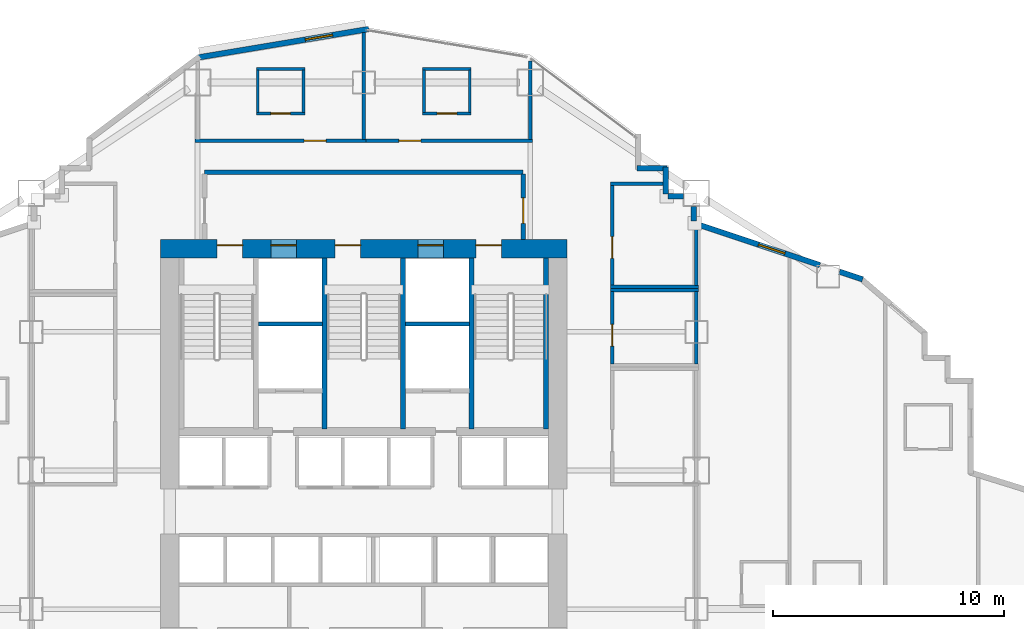
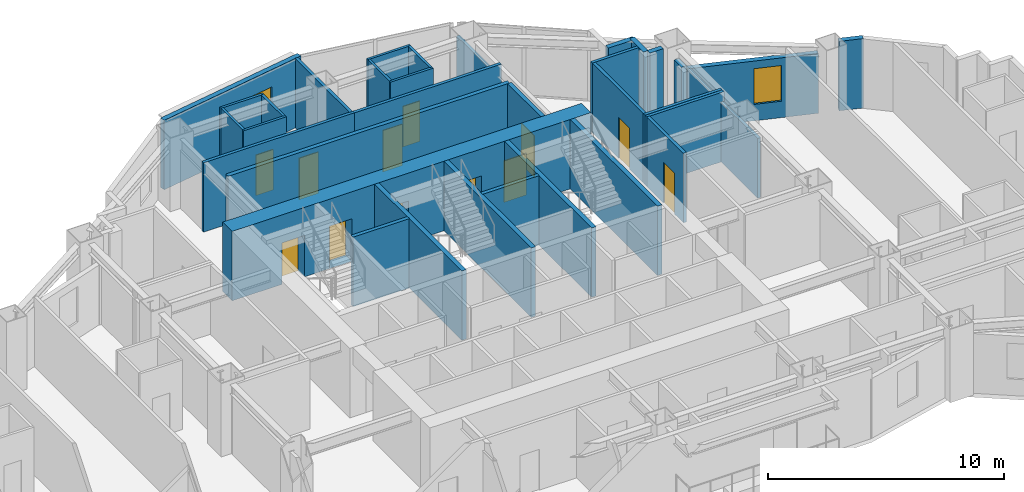
# One storey, part 10 of 16: 35 walls, 12 doors, 2 windows, 14 openings.
"""IFC4 building model written with IfcOpenShell, lengths in metres."""

from ifc_helpers import new_model, si_unit, direction, frame, frame_2d, origin, place, context, subcontext, project, spatial, rectangle, extrude, material, layer, layer_set, type_object, element, fill, save


model = new_model("IFC4")

# Units and contexts
model_context = context("Model", 3, precision=1e-05, world=origin(), true_north=direction((0.0, 1.0)))
body_context = subcontext(model_context, "Body", "Model", "MODEL_VIEW")
ifc_project = project(units=[si_unit("LENGTHUNIT", "METRE"), si_unit("AREAUNIT", "SQUARE_METRE"), si_unit("VOLUMEUNIT", "CUBIC_METRE"), si_unit("PLANEANGLEUNIT", "RADIAN"), si_unit("MASSUNIT", "GRAM", prefix="KILO")], contexts=[model_context])

# Site, building, storey
site_placement = place(None, origin())
site = spatial("IfcSite", under=ifc_project, at=site_placement, CompositionType="ELEMENT")
building_placement = place(site_placement, origin())
building = spatial("IfcBuilding", under=site, at=building_placement, Name="Haolan Belvedere Tower", CompositionType="ELEMENT")
storey_placement = place(building_placement, frame((0.0, 0.0, 47.60009765625)))
storey = spatial("IfcBuildingStorey", under=building, at=storey_placement, Name="L11", CompositionType="ELEMENT", Elevation=47.60009765625)

# Wall, openings, doors
ifc_material_1 = material(Name="Concrete C70/85", Category="concrete")
ifc_layer_1 = layer(ifc_material_1, 0.800048828125, Name="Concrete C70/85")
ifc_layer_set_1 = layer_set([ifc_layer_1], Name="Concrete C70/85")
wall_type_1 = type_object("IfcWallType", Name="WL-CORE-800", PredefinedType="SHEAR", material=ifc_layer_set_1)
wall_1_placement = place(storey_placement, frame((29.60009765625, 43.199951171875, 0.0), z_axis=(0.0, 0.0, 1.0), x_axis=(1.0, 0.0, 0.0)))
wall_1 = element("IfcWall", 1, at=wall_1_placement, inside=storey, type_object=wall_type_1, Name="L11 central core north shear wall", PredefinedType="SHEAR", context=body_context, shape_type="SweptSolid", body=[
    extrude(rectangle(XDim=17.599853515625, YDim=0.800048828125, at=frame_2d((8.7998046875, 0.0))), origin(), (0.0, 0.0, 1.0), 3.599853515625),
])
opening_1_placement = place(wall_1_placement, frame((2.449951171875, 0.0, 0.0)))
opening_1 = element("IfcOpeningElement", 2, at=opening_1_placement, cuts=wall_1, Name="Opening FD-03", PredefinedType="OPENING", context=body_context, shape_type="SweptSolid", body=[
    extrude(rectangle(XDim=1.10009765625, YDim=2.14990234375, at=frame_2d((0.550048828125, 1.074951171875))), frame((0.0, 0.409912109375, 0.0), z_axis=(0.0, -1.0, 0.0), x_axis=(1.0, 0.0, 0.0)), (0.0, 0.0, 1.0), 0.820068359375),
])
opening_2_placement = place(wall_1_placement, frame((7.56005859375, 0.0, 0.0)))
opening_2 = element("IfcOpeningElement", 3, at=opening_2_placement, cuts=wall_1, Name="Opening FD-03", PredefinedType="OPENING", context=body_context, shape_type="SweptSolid", body=[
    extrude(rectangle(XDim=1.10009765625, YDim=2.14990234375, at=frame_2d((0.550048828125, 1.074951171875))), frame((0.0, 0.409912109375, 0.0), z_axis=(0.0, -1.0, 0.0), x_axis=(1.0, 0.0, 0.0)), (0.0, 0.0, 1.0), 0.820068359375),
])
opening_3_placement = place(wall_1_placement, frame((13.64990234375, 0.0, 0.0)))
opening_3 = element("IfcOpeningElement", 4, at=opening_3_placement, cuts=wall_1, Name="Opening FD-03", PredefinedType="OPENING", context=body_context, shape_type="SweptSolid", body=[
    extrude(rectangle(XDim=1.10009765625, YDim=2.14990234375, at=frame_2d((0.550048828125, 1.074951171875))), frame((0.0, 0.409912109375, 0.0), z_axis=(0.0, -1.0, 0.0), x_axis=(1.0, 0.0, 0.0)), (0.0, 0.0, 1.0), 0.820068359375),
])
opening_4_placement = place(wall_1_placement, frame((4.780029296875, 0.0, 0.0)))
opening_4 = element("IfcOpeningElement", 5, at=opening_4_placement, cuts=wall_1, Name="Opening LD-01", PredefinedType="OPENING", context=body_context, shape_type="SweptSolid", body=[
    extrude(rectangle(XDim=1.10009765625, YDim=2.199951171875, at=frame_2d((0.550048828125, 1.10009765625))), frame((0.0, 0.409912109375, 0.0), z_axis=(0.0, -1.0, 0.0), x_axis=(1.0, 0.0, 0.0)), (0.0, 0.0, 1.0), 0.820068359375),
])
opening_5_placement = place(wall_1_placement, frame((11.139892578125, 0.0, 0.0)))
opening_5 = element("IfcOpeningElement", 6, at=opening_5_placement, cuts=wall_1, Name="Opening LD-01", PredefinedType="OPENING", context=body_context, shape_type="SweptSolid", body=[
    extrude(rectangle(XDim=1.10009765625, YDim=2.199951171875, at=frame_2d((0.550048828125, 1.10009765625))), frame((0.0, 0.409912109375, 0.0), z_axis=(0.0, -1.0, 0.0), x_axis=(1.0, 0.0, 0.0)), (0.0, 0.0, 1.0), 0.820068359375),
])
ifc_material_2 = material(Name="Galvanised fire-rated steel", Category="steel")
door_type_1 = type_object("IfcDoorType", Name="DR-FD90-1100", OperationType="NOTDEFINED", PredefinedType="DOOR", material=ifc_material_2)
door_1_placement = place(opening_1_placement, origin())
door_1 = element("IfcDoor", 7, at=door_1_placement, inside=storey, type_object=door_type_1, Name="L11 door CD-L11-ST1", OperationType="SINGLE_SWING_LEFT", OverallHeight=2.14990234375, OverallWidth=1.10009765625, PredefinedType="DOOR", context=body_context, shape_type="SweptSolid", body=[
    extrude(rectangle(XDim=1.10009765625, YDim=2.14990234375, at=frame_2d((0.550048828125, 1.074951171875))), frame((0.0, 0.18505859375, 0.0), z_axis=(0.0, -1.0, 0.0), x_axis=(1.0, 0.0, 0.0)), (0.0, 0.0, 1.0), 0.050048828125),
])
fill(opening_1, door_1)
door_2_placement = place(opening_2_placement, origin())
door_2 = element("IfcDoor", 8, at=door_2_placement, inside=storey, type_object=door_type_1, Name="L11 door CD-L11-ST3", OperationType="SINGLE_SWING_LEFT", OverallHeight=2.14990234375, OverallWidth=1.10009765625, PredefinedType="DOOR", context=body_context, shape_type="SweptSolid", body=[
    extrude(rectangle(XDim=1.10009765625, YDim=2.14990234375, at=frame_2d((0.550048828125, 1.074951171875))), frame((0.0, 0.18505859375, 0.0), z_axis=(0.0, -1.0, 0.0), x_axis=(1.0, 0.0, 0.0)), (0.0, 0.0, 1.0), 0.050048828125),
])
fill(opening_2, door_2)
door_3_placement = place(opening_3_placement, origin())
door_3 = element("IfcDoor", 9, at=door_3_placement, inside=storey, type_object=door_type_1, Name="L11 door CD-L11-ST2", OperationType="SINGLE_SWING_RIGHT", OverallHeight=2.14990234375, OverallWidth=1.10009765625, PredefinedType="DOOR", context=body_context, shape_type="SweptSolid", body=[
    extrude(rectangle(XDim=1.10009765625, YDim=2.14990234375, at=frame_2d((0.550048828125, 1.074951171875))), frame((0.0, 0.18505859375, 0.0), z_axis=(0.0, -1.0, 0.0), x_axis=(1.0, 0.0, 0.0)), (0.0, 0.0, 1.0), 0.050048828125),
])
fill(opening_3, door_3)
ifc_material_3 = material(Name="Brushed champagne stainless steel 316L", Category="steel")
door_type_2 = type_object("IfcDoorType", Name="DR-LIFT-1100", OperationType="SLIDING_TO_LEFT", PredefinedType="DOOR", material=ifc_material_3)
door_4_placement = place(opening_4_placement, origin())
door_4 = element("IfcDoor", 10, at=door_4_placement, inside=storey, type_object=door_type_2, Name="L11 door LD-L11-FF1", OperationType="SLIDING_TO_LEFT", OverallHeight=2.199951171875, OverallWidth=1.10009765625, PredefinedType="DOOR", context=body_context, shape_type="SweptSolid", body=[
    extrude(rectangle(XDim=1.10009765625, YDim=2.199951171875, at=frame_2d((0.550048828125, 1.10009765625))), frame((0.0, 0.18505859375, 0.0), z_axis=(0.0, -1.0, 0.0), x_axis=(1.0, 0.0, 0.0)), (0.0, 0.0, 1.0), 0.050048828125),
])
fill(opening_4, door_4)
door_5_placement = place(opening_5_placement, origin())
door_5 = element("IfcDoor", 11, at=door_5_placement, inside=storey, type_object=door_type_2, Name="L11 door LD-L11-FF2", OperationType="SLIDING_TO_LEFT", OverallHeight=2.199951171875, OverallWidth=1.10009765625, PredefinedType="DOOR", context=body_context, shape_type="SweptSolid", body=[
    extrude(rectangle(XDim=1.10009765625, YDim=2.199951171875, at=frame_2d((0.550048828125, 1.10009765625))), frame((0.0, 0.18505859375, 0.0), z_axis=(0.0, -1.0, 0.0), x_axis=(1.0, 0.0, 0.0)), (0.0, 0.0, 1.0), 0.050048828125),
])
fill(opening_5, door_5)

# Wall
ifc_material_4 = material(Name="Precast concrete C40/50", Category="concrete")
ifc_layer_2 = layer(ifc_material_4, 0.239990234375, Name="Precast concrete C40/50")
ifc_layer_set_2 = layer_set([ifc_layer_2], Name="Precast concrete C40/50")
wall_type_2 = type_object("IfcWallType", Name="WL-EXT-240", PredefinedType="SOLIDWALL", material=ifc_layer_set_2)
wall_2_placement = place(storey_placement, frame((59.991943359375, 41.876220703125, 0.0), z_axis=(0.0, 0.0, 1.0), x_axis=(-0.948706457285, 0.316158279832, 0.0)))
element("IfcWall", 12, at=wall_2_placement, inside=storey, type_object=wall_type_2, Name="L11 pale-metal exterior spandrel wall 35.1", PredefinedType="SOLIDWALL", context=body_context, shape_type="SweptSolid", body=[
    extrude(rectangle(XDim=1.053955078125, YDim=0.239990234375, at=frame_2d((0.52685546875, 0.0))), origin(), (0.0, 0.0, 1.0), 3.599853515625),
])

# Wall, opening, window
wall_3_placement = place(storey_placement, frame((58.14453125, 42.491943359375, 0.0), z_axis=(0.0, 0.0, 1.0), x_axis=(-0.948683298051, 0.316227766017, 0.0)))
wall_3 = element("IfcWall", 13, at=wall_3_placement, inside=storey, type_object=wall_type_2, Name="L11 pale-metal exterior spandrel wall 35.2", PredefinedType="SOLIDWALL", context=body_context, shape_type="SweptSolid", body=[
    extrude(rectangle(XDim=5.67529296875, YDim=0.239990234375, at=frame_2d((2.837646484375, 0.0))), origin(), (0.0, 0.0, 1.0), 3.096923828125),
])
opening_6_placement = place(wall_3_placement, frame((1.60009765625, 0.0, 0.85009765625)))
opening_6 = element("IfcOpeningElement", 14, at=opening_6_placement, cuts=wall_3, Name="Opening W-01", PredefinedType="OPENING", context=body_context, shape_type="SweptSolid", body=[
    extrude(rectangle(XDim=1.199951171875, YDim=1.85009765625, at=frame_2d((0.60009765625, 0.925048828125))), frame((0.0, 0.1298828125, 0.0), z_axis=(0.0, -1.0, 0.0), x_axis=(1.0, 0.0, 0.0)), (0.0, 0.0, 1.0), 0.260009765625),
])
ifc_material_5 = material(Name="Anodised aluminium 6063-T6 and Low-E glass", Category="aluminium")
window_type = type_object("IfcWindowType", Name="WN-DECO-Z1", PartitioningType="SINGLE_PANEL", PredefinedType="WINDOW", material=ifc_material_5)
window_1_placement = place(opening_6_placement, origin())
window_1 = element("IfcWindow", 15, at=window_1_placement, inside=storey, type_object=window_type, Name="L11 Art Deco chevron window 1", OverallHeight=1.85009765625, OverallWidth=1.199951171875, PartitioningType="SINGLE_PANEL", PredefinedType="WINDOW", context=body_context, shape_type="SweptSolid", body=[
    extrude(rectangle(XDim=1.199951171875, YDim=1.85009765625, at=frame_2d((0.60009765625, 0.925048828125))), frame((0.0, 0.030029296875, 0.0), z_axis=(0.0, -1.0, 0.0), x_axis=(1.0, 0.0, 0.0)), (0.0, 0.0, 1.0), 0.06005859375),
])
fill(opening_6, window_1)

# Walls
wall_4_placement = place(storey_placement, frame((52.679931640625, 44.3984375, 0.0), z_axis=(0.0, 0.0, 1.0), x_axis=(0.0, 1.0, 0.0)))
element("IfcWall", 16, at=wall_4_placement, inside=storey, type_object=wall_type_2, Name="L11 pale-metal exterior spandrel wall 36.1", PredefinedType="SOLIDWALL", context=body_context, shape_type="SweptSolid", body=[
    extrude(rectangle(XDim=0.634521484375, YDim=0.239990234375, at=frame_2d((0.3173828125, 0.0))), origin(), (0.0, 0.0, 1.0), 3.096923828125),
])
wall_5_placement = place(storey_placement, frame((52.23291015625, 45.47998046875, 0.0), z_axis=(0.0, 0.0, 1.0), x_axis=(-1.0, 0.0, 0.0)))
element("IfcWall", 17, at=wall_5_placement, inside=storey, type_object=wall_type_2, Name="L11 pale-metal exterior spandrel wall 37.1", PredefinedType="SOLIDWALL", context=body_context, shape_type="SweptSolid", body=[
    extrude(rectangle(XDim=0.66796875, YDim=0.239990234375, at=frame_2d((0.333984375, 0.0))), origin(), (0.0, 0.0, 1.0), 3.599853515625),
])
wall_6_placement = place(storey_placement, frame((51.47998046875, 45.56494140625, 0.0), z_axis=(0.0, 0.0, 1.0), x_axis=(0.0, 1.0, 0.0)))
element("IfcWall", 18, at=wall_6_placement, inside=storey, type_object=wall_type_2, Name="L11 pale-metal exterior spandrel wall 38.1", PredefinedType="SOLIDWALL", context=body_context, shape_type="SweptSolid", body=[
    extrude(rectangle(XDim=1.170166015625, YDim=0.239990234375, at=frame_2d((0.5849609375, 0.0))), origin(), (0.0, 0.0, 1.0), 3.599853515625),
])
wall_7_placement = place(storey_placement, frame((51.534912109375, 46.679931640625, 0.0), z_axis=(0.0, 0.0, 1.0), x_axis=(-1.0, 0.0, 0.0)))
element("IfcWall", 19, at=wall_7_placement, inside=storey, type_object=wall_type_2, Name="L11 pale-metal exterior spandrel wall 39.1", PredefinedType="SOLIDWALL", context=body_context, shape_type="SweptSolid", body=[
    extrude(rectangle(XDim=1.309814453125, YDim=0.239990234375, at=frame_2d((0.65478515625, 0.0))), origin(), (0.0, 0.0, 1.0), 3.599853515625),
])

# Wall, opening, window
wall_8_placement = place(storey_placement, frame((38.621826171875, 52.71533203125, 0.0), z_axis=(0.0, 0.0, 1.0), x_axis=(-0.98639129485, -0.164414760418, 0.0)))
wall_8 = element("IfcWall", 20, at=wall_8_placement, inside=storey, type_object=wall_type_2, Name="L11 pale-metal exterior spandrel wall 43.1", PredefinedType="SOLIDWALL", context=body_context, shape_type="SweptSolid", body=[
    extrude(rectangle(XDim=7.530029296875, YDim=0.239990234375, at=frame_2d((3.76513671875, 0.0))), origin(), (0.0, 0.0, 1.0), 3.599853515625),
])
opening_7_placement = place(wall_8_placement, frame((1.60009765625, 0.0, 0.85009765625)))
opening_7 = element("IfcOpeningElement", 21, at=opening_7_placement, cuts=wall_8, Name="Opening W-01", PredefinedType="OPENING", context=body_context, shape_type="SweptSolid", body=[
    extrude(rectangle(XDim=1.199951171875, YDim=1.85009765625, at=frame_2d((0.60009765625, 0.925048828125))), frame((0.0, 0.1298828125, 0.0), z_axis=(0.0, -1.0, 0.0), x_axis=(1.0, 0.0, 0.0)), (0.0, 0.0, 1.0), 0.260009765625),
])
window_2_placement = place(opening_7_placement, origin())
window_2 = element("IfcWindow", 22, at=window_2_placement, inside=storey, type_object=window_type, Name="L11 Art Deco chevron window 1", OverallHeight=1.85009765625, OverallWidth=1.199951171875, PartitioningType="SINGLE_PANEL", PredefinedType="WINDOW", context=body_context, shape_type="SweptSolid", body=[
    extrude(rectangle(XDim=1.199951171875, YDim=1.85009765625, at=frame_2d((0.60009765625, 0.925048828125))), frame((0.0, 0.030029296875, 0.0), z_axis=(0.0, -1.0, 0.0), x_axis=(1.0, 0.0, 0.0)), (0.0, 0.0, 1.0), 0.06005859375),
])
fill(opening_7, window_2)

# Wall
ifc_material_6 = material(Name="Concrete C40/50", Category="concrete")
ifc_layer_3 = layer(ifc_material_6, 0.199951171875, Name="Concrete C40/50")
ifc_layer_set_3 = layer_set([ifc_layer_3], Name="Concrete C40/50")
wall_type_3 = type_object("IfcWallType", Name="WL-FIRE-200", PredefinedType="SOLIDWALL", material=ifc_layer_set_3)
wall_9_placement = place(storey_placement, frame((31.5, 46.52001953125, 0.0), z_axis=(0.0, 0.0, 1.0), x_axis=(1.0, 0.0, 0.0)))
element("IfcWall", 23, at=wall_9_placement, inside=storey, type_object=wall_type_3, Name="L11 interior partition IW-L11-FFL-N", PredefinedType="SOLIDWALL", context=body_context, shape_type="SweptSolid", body=[
    extrude(rectangle(XDim=13.800048828125, YDim=0.199951171875, at=frame_2d((6.89990234375, 0.0))), origin(), (0.0, 0.0, 1.0), 3.599853515625),
])

# Wall, opening, door
wall_10_placement = place(storey_placement, frame((45.300048828125, 43.60009765625, 0.0), z_axis=(0.0, 0.0, 1.0), x_axis=(0.0, 1.0, 0.0)))
wall_10 = element("IfcWall", 24, at=wall_10_placement, inside=storey, type_object=wall_type_3, Name="L11 interior partition IW-L11-FFL-E", PredefinedType="SOLIDWALL", context=body_context, shape_type="SweptSolid", body=[
    extrude(rectangle(XDim=2.8349609375, YDim=0.199951171875, at=frame_2d((1.41748046875, 0.0))), origin(), (0.0, 0.0, 1.0), 3.599853515625),
])
opening_8_placement = place(wall_10_placement, frame((0.699951171875, 0.0, 0.0)))
opening_8 = element("IfcOpeningElement", 25, at=opening_8_placement, cuts=wall_10, Name="Opening FD-03", PredefinedType="OPENING", context=body_context, shape_type="SweptSolid", body=[
    extrude(rectangle(XDim=1.10009765625, YDim=2.14990234375, at=frame_2d((0.550048828125, 1.074951171875))), frame((0.0, 0.10986328125, 0.0), z_axis=(0.0, -1.0, 0.0), x_axis=(1.0, 0.0, 0.0)), (0.0, 0.0, 1.0), 0.219970703125),
])
door_6_placement = place(opening_8_placement, origin())
door_6 = element("IfcDoor", 26, at=door_6_placement, inside=storey, type_object=door_type_1, Name="L11 door ID-L11-FFL-DE", OperationType="SINGLE_SWING_RIGHT", OverallHeight=2.14990234375, OverallWidth=1.10009765625, PredefinedType="DOOR", context=body_context, shape_type="SweptSolid", body=[
    extrude(rectangle(XDim=1.10009765625, YDim=2.14990234375, at=frame_2d((0.550048828125, 1.074951171875))), frame((0.0, 0.02490234375, 0.0), z_axis=(0.0, -1.0, 0.0), x_axis=(1.0, 0.0, 0.0)), (0.0, 0.0, 1.0), 0.050048828125),
])
fill(opening_8, door_6)

# Wall
ifc_material_7 = material(Name="Double gypsum acoustic stud partition", Category="masonry")
ifc_layer_4 = layer(ifc_material_7, 0.14990234375, Name="Double gypsum acoustic stud partition")
ifc_layer_set_4 = layer_set([ifc_layer_4], Name="Double gypsum acoustic stud partition")
wall_type_4 = type_object("IfcWallType", Name="WL-PART-150", PredefinedType="PARTITIONING", material=ifc_layer_set_4)
wall_11_placement = place(storey_placement, frame((49.080078125, 41.39990234375, 0.0), z_axis=(0.0, 0.0, 1.0), x_axis=(1.0, 0.0, 0.0)))
element("IfcWall", 27, at=wall_11_placement, inside=storey, type_object=wall_type_4, Name="L11 interior partition IW-L11-AWC-N", PredefinedType="PARTITIONING", context=body_context, shape_type="SweptSolid", body=[
    extrude(rectangle(XDim=3.7998046875, YDim=0.14990234375, at=frame_2d((1.89990234375, 0.0))), origin(), (0.0, 0.0, 1.0), 3.599853515625),
])

# Wall, opening, door
wall_12_placement = place(storey_placement, frame((49.159912109375, 38.219970703125, 0.0), z_axis=(0.0, 0.0, 1.0), x_axis=(0.0, 1.0, 0.0)))
wall_12 = element("IfcWall", 28, at=wall_12_placement, inside=storey, type_object=wall_type_4, Name="L11 interior partition IW-L11-AWC-W", PredefinedType="PARTITIONING", context=body_context, shape_type="SweptSolid", body=[
    extrude(rectangle(XDim=3.1201171875, YDim=0.14990234375, at=frame_2d((1.56005859375, 0.0))), origin(), (0.0, 0.0, 1.0), 3.599853515625),
])
opening_9_placement = place(wall_12_placement, frame((0.760009765625, 0.0, 0.0)))
opening_9 = element("IfcOpeningElement", 29, at=opening_9_placement, cuts=wall_12, Name="Opening ID-03", PredefinedType="OPENING", context=body_context, shape_type="SweptSolid", body=[
    extrude(rectangle(XDim=0.949951171875, YDim=2.1201171875, at=frame_2d((0.47509765625, 1.06005859375))), frame((0.0, 0.0849609375, 0.0), z_axis=(0.0, -1.0, 0.0), x_axis=(1.0, 0.0, 0.0)), (0.0, 0.0, 1.0), 0.169921875),
])
ifc_material_8 = material(Name="Painted solid-core timber", Category="wood")
door_type_3 = type_object("IfcDoorType", Name="DR-INT-950", OperationType="NOTDEFINED", PredefinedType="DOOR", material=ifc_material_8)
door_7_placement = place(opening_9_placement, origin())
door_7 = element("IfcDoor", 30, at=door_7_placement, inside=storey, type_object=door_type_3, Name="L11 door ID-L11-AWC", OperationType="SINGLE_SWING_LEFT", OverallHeight=2.1201171875, OverallWidth=0.949951171875, PredefinedType="DOOR", context=body_context, shape_type="SweptSolid", body=[
    extrude(rectangle(XDim=0.949951171875, YDim=2.1201171875, at=frame_2d((0.47509765625, 1.06005859375))), frame((0.0, 0.02490234375, 0.0), z_axis=(0.0, -1.0, 0.0), x_axis=(1.0, 0.0, 0.0)), (0.0, 0.0, 1.0), 0.050048828125),
])
fill(opening_9, door_7)

# Walls
wall_13_placement = place(storey_placement, frame((52.800048828125, 38.219970703125, 0.0), z_axis=(0.0, 0.0, 1.0), x_axis=(0.0, 1.0, 0.0)))
element("IfcWall", 31, at=wall_13_placement, inside=storey, type_object=wall_type_4, Name="L11 interior partition IW-L11-AWC-E", PredefinedType="PARTITIONING", context=body_context, shape_type="SweptSolid", body=[
    extrude(rectangle(XDim=3.1201171875, YDim=0.14990234375, at=frame_2d((1.56005859375, 0.0))), origin(), (0.0, 0.0, 1.0), 3.096923828125),
])
wall_14_placement = place(storey_placement, frame((49.080078125, 46.02001953125, 0.0), z_axis=(0.0, 0.0, 1.0), x_axis=(1.0, 0.0, 0.0)))
element("IfcWall", 32, at=wall_14_placement, inside=storey, type_object=wall_type_4, Name="L11 interior partition IW-L11-CLN-N", PredefinedType="PARTITIONING", context=body_context, shape_type="SweptSolid", body=[
    extrude(rectangle(XDim=2.294921875, YDim=0.14990234375, at=frame_2d((1.1474609375, 0.0))), origin(), (0.0, 0.0, 1.0), 3.599853515625),
])
wall_15_placement = place(storey_placement, frame((49.080078125, 41.56005859375, 0.0), z_axis=(0.0, 0.0, 1.0), x_axis=(1.0, 0.0, 0.0)))
element("IfcWall", 33, at=wall_15_placement, inside=storey, type_object=wall_type_4, Name="L11 interior partition IW-L11-CLN-S", PredefinedType="PARTITIONING", context=body_context, shape_type="SweptSolid", body=[
    extrude(rectangle(XDim=3.7998046875, YDim=0.14990234375, at=frame_2d((1.89990234375, 0.0))), origin(), (0.0, 0.0, 1.0), 3.599853515625),
])

# Wall, opening, door
wall_16_placement = place(storey_placement, frame((49.159912109375, 41.6201171875, 0.0), z_axis=(0.0, 0.0, 1.0), x_axis=(0.0, 1.0, 0.0)))
wall_16 = element("IfcWall", 34, at=wall_16_placement, inside=storey, type_object=wall_type_4, Name="L11 interior partition IW-L11-CLN-W", PredefinedType="PARTITIONING", context=body_context, shape_type="SweptSolid", body=[
    extrude(rectangle(XDim=4.33984375, YDim=0.14990234375, at=frame_2d((2.169921875, 0.0))), origin(), (0.0, 0.0, 1.0), 3.599853515625),
])
opening_10_placement = place(wall_16_placement, frame((1.159912109375, 0.0, 0.0)))
opening_10 = element("IfcOpeningElement", 35, at=opening_10_placement, cuts=wall_16, Name="Opening ID-03", PredefinedType="OPENING", context=body_context, shape_type="SweptSolid", body=[
    extrude(rectangle(XDim=0.949951171875, YDim=2.1201171875, at=frame_2d((0.47509765625, 1.06005859375))), frame((0.0, 0.0849609375, 0.0), z_axis=(0.0, -1.0, 0.0), x_axis=(1.0, 0.0, 0.0)), (0.0, 0.0, 1.0), 0.169921875),
])
door_8_placement = place(opening_10_placement, origin())
door_8 = element("IfcDoor", 36, at=door_8_placement, inside=storey, type_object=door_type_3, Name="L11 door ID-L11-CLN", OperationType="SINGLE_SWING_RIGHT", OverallHeight=2.1201171875, OverallWidth=0.949951171875, PredefinedType="DOOR", context=body_context, shape_type="SweptSolid", body=[
    extrude(rectangle(XDim=0.949951171875, YDim=2.1201171875, at=frame_2d((0.47509765625, 1.06005859375))), frame((0.0, 0.02490234375, 0.0), z_axis=(0.0, -1.0, 0.0), x_axis=(1.0, 0.0, 0.0)), (0.0, 0.0, 1.0), 0.050048828125),
])
fill(opening_10, door_8)

# Wall
wall_17_placement = place(storey_placement, frame((52.800048828125, 41.6201171875, 0.0), z_axis=(0.0, 0.0, 1.0), x_axis=(0.0, 1.0, 0.0)))
element("IfcWall", 37, at=wall_17_placement, inside=storey, type_object=wall_type_4, Name="L11 interior partition IW-L11-CLN-E", PredefinedType="PARTITIONING", context=body_context, shape_type="SweptSolid", body=[
    extrude(rectangle(XDim=2.542724609375, YDim=0.14990234375, at=frame_2d((1.271484375, 0.0))), origin(), (0.0, 0.0, 1.0), 3.096923828125),
])

# Wall, opening, door
wall_18_placement = place(storey_placement, frame((31.10009765625, 47.8798828125, 0.0), z_axis=(0.0, 0.0, 1.0), x_axis=(1.0, 0.0, 0.0)))
wall_18 = element("IfcWall", 38, at=wall_18_placement, inside=storey, type_object=wall_type_4, Name="L11 interior partition IW-L11-KN2-S", PredefinedType="PARTITIONING", context=body_context, shape_type="SweptSolid", body=[
    extrude(rectangle(XDim=7.39990234375, YDim=0.14990234375, at=frame_2d((3.699951171875, 0.0))), origin(), (0.0, 0.0, 1.0), 3.599853515625),
])
opening_11_placement = place(wall_18_placement, frame((4.713623046875, 0.0, 0.0)))
opening_11 = element("IfcOpeningElement", 39, at=opening_11_placement, cuts=wall_18, Name="Opening ID-02", PredefinedType="OPENING", context=body_context, shape_type="SweptSolid", body=[
    extrude(rectangle(XDim=0.949951171875, YDim=2.14990234375, at=frame_2d((0.47509765625, 1.074951171875))), frame((0.0, 0.0849609375, 0.0), z_axis=(0.0, -1.0, 0.0), x_axis=(1.0, 0.0, 0.0)), (0.0, 0.0, 1.0), 0.169921875),
])
ifc_material_9 = material(Name="Acoustic oak veneer fire-rated timber", Category="wood")
door_type_4 = type_object("IfcDoorType", Name="DR-GUEST-950", OperationType="NOTDEFINED", PredefinedType="DOOR", material=ifc_material_9)
door_9_placement = place(opening_11_placement, origin())
door_9 = element("IfcDoor", 40, at=door_9_placement, inside=storey, type_object=door_type_4, Name="L11 door ID-L11-KN2-ENT", OperationType="SINGLE_SWING_LEFT", OverallHeight=2.14990234375, OverallWidth=0.949951171875, PredefinedType="DOOR", context=body_context, shape_type="SweptSolid", body=[
    extrude(rectangle(XDim=0.949951171875, YDim=2.14990234375, at=frame_2d((0.47509765625, 1.074951171875))), frame((0.0, 0.02490234375, 0.0), z_axis=(0.0, -1.0, 0.0), x_axis=(1.0, 0.0, 0.0)), (0.0, 0.0, 1.0), 0.050048828125),
])
fill(opening_11, door_9)

# Wall
wall_19_placement = place(storey_placement, frame((38.39990234375, 47.93994140625, 0.0), z_axis=(0.0, 0.0, 1.0), x_axis=(0.0, 1.0, 0.0)))
element("IfcWall", 41, at=wall_19_placement, inside=storey, type_object=wall_type_4, Name="L11 interior partition IW-L11-KN2-E", PredefinedType="PARTITIONING", context=body_context, shape_type="SweptSolid", body=[
    extrude(rectangle(XDim=4.632080078125, YDim=0.14990234375, at=frame_2d((2.31591796875, 0.0))), origin(), (0.0, 0.0, 1.0), 3.599853515625),
])

# Wall, opening, door
wall_20_placement = place(storey_placement, frame((38.501953125, 47.8798828125, 0.0), z_axis=(0.0, 0.0, 1.0), x_axis=(1.0, 0.0, 0.0)))
wall_20 = element("IfcWall", 42, at=wall_20_placement, inside=storey, type_object=wall_type_4, Name="L11 interior partition IW-L11-KN3-S", PredefinedType="PARTITIONING", context=body_context, shape_type="SweptSolid", body=[
    extrude(rectangle(XDim=7.197998046875, YDim=0.14990234375, at=frame_2d((3.59912109375, 0.0))), origin(), (0.0, 0.0, 1.0), 3.599853515625),
])
opening_12_placement = place(wall_20_placement, frame((1.41748046875, 0.0, 0.0)))
opening_12 = element("IfcOpeningElement", 43, at=opening_12_placement, cuts=wall_20, Name="Opening ID-02", PredefinedType="OPENING", context=body_context, shape_type="SweptSolid", body=[
    extrude(rectangle(XDim=0.949951171875, YDim=2.14990234375, at=frame_2d((0.47509765625, 1.074951171875))), frame((0.0, 0.0849609375, 0.0), z_axis=(0.0, -1.0, 0.0), x_axis=(1.0, 0.0, 0.0)), (0.0, 0.0, 1.0), 0.169921875),
])
door_10_placement = place(opening_12_placement, origin())
door_10 = element("IfcDoor", 44, at=door_10_placement, inside=storey, type_object=door_type_4, Name="L11 door ID-L11-KN3-ENT", OperationType="SINGLE_SWING_RIGHT", OverallHeight=2.14990234375, OverallWidth=0.949951171875, PredefinedType="DOOR", context=body_context, shape_type="SweptSolid", body=[
    extrude(rectangle(XDim=0.949951171875, YDim=2.14990234375, at=frame_2d((0.47509765625, 1.074951171875))), frame((0.0, 0.02490234375, 0.0), z_axis=(0.0, -1.0, 0.0), x_axis=(1.0, 0.0, 0.0)), (0.0, 0.0, 1.0), 0.050048828125),
])
fill(opening_12, door_10)

# Walls
wall_21_placement = place(storey_placement, frame((45.60009765625, 47.93994140625, 0.0), z_axis=(0.0, 0.0, 1.0), x_axis=(0.0, 1.0, 0.0)))
element("IfcWall", 45, at=wall_21_placement, inside=storey, type_object=wall_type_4, Name="L11 interior partition IW-L11-KN3-E", PredefinedType="PARTITIONING", context=body_context, shape_type="SweptSolid", body=[
    extrude(rectangle(XDim=3.39501953125, YDim=0.14990234375, at=frame_2d((1.697509765625, 0.0))), origin(), (0.0, 0.0, 1.0), 2.98486328125),
])
ifc_layer_5 = layer(ifc_material_4, 0.179931640625, Name="Precast concrete C40/50")
ifc_layer_set_5 = layer_set([ifc_layer_5], Name="Precast concrete C40/50")
wall_type_5 = type_object("IfcWallType", Name="WL-SHAFT-180", PredefinedType="SOLIDWALL", material=ifc_layer_set_5)
for number, where, z_axis, x_axis, name in (
    (46, (33.8349609375, 39.949951171875, 0.0), (0.0, 0.0, 1.0), (1.0, 0.0, 0.0), "L11 interior partition IW-L11-FF1-S"),
    (47, (40.195068359375, 39.949951171875, 0.0), (0.0, 0.0, 1.0), (1.0, 0.0, 0.0), "L11 interior partition IW-L11-FF2-S"),
):
    element("IfcWall", number, at=place(storey_placement, frame(where, z_axis=z_axis, x_axis=x_axis)), inside=storey, type_object=wall_type_5, Name=name, PredefinedType="SOLIDWALL", context=body_context, shape_type="SweptSolid", body=[
        extrude(rectangle(XDim=2.77001953125, YDim=0.179931640625, at=frame_2d((1.385009765625, 0.0))), origin(), (0.0, 0.0, 1.0), 3.599853515625),
    ])
ifc_material_10 = material(Name="Concrete C50/60", Category="concrete")
ifc_layer_6 = layer(ifc_material_10, 0.219970703125, Name="Concrete C50/60")
ifc_layer_set_6 = layer_set([ifc_layer_6], Name="Concrete C50/60")
wall_type_6 = type_object("IfcWallType", Name="WL-STAIR-220", PredefinedType="SHEAR", material=ifc_layer_set_6)
for number, where, z_axis, x_axis, name in (
    (48, (36.699951171875, 35.389892578125, 0.0), (0.0, 0.0, 1.0), (0.0, 1.0, 0.0), "L11 structural stair core wall ST3W"),
    (49, (40.10009765625, 35.389892578125, 0.0), (0.0, 0.0, 1.0), (0.0, 1.0, 0.0), "L11 structural stair core wall ST3E"),
    (50, (43.06005859375, 35.389892578125, 0.0), (0.0, 0.0, 1.0), (0.0, 1.0, 0.0), "L11 structural stair core wall ST2W"),
    (51, (46.2880859375, 35.389892578125, 0.0), (0.0, 0.0, 1.0), (0.0, 1.0, 0.0), "L11 structural stair core wall ST2E"),
):
    element("IfcWall", number, at=place(storey_placement, frame(where, z_axis=z_axis, x_axis=x_axis)), inside=storey, type_object=wall_type_6, Name=name, PredefinedType="SHEAR", context=body_context, shape_type="SweptSolid", body=[
        extrude(rectangle(XDim=7.41015625, YDim=0.219970703125, at=frame_2d((3.705078125, 0.0))), origin(), (0.0, 0.0, 1.0), 3.599853515625),
    ])
ifc_material_11 = material(Name="Moisture-resistant gypsum tile partition", Category="masonry")
ifc_layer_7 = layer(ifc_material_11, 0.1201171875, Name="Moisture-resistant gypsum tile partition")
ifc_layer_set_7 = layer_set([ifc_layer_7], Name="Moisture-resistant gypsum tile partition")
wall_type_7 = type_object("IfcWallType", Name="WL-WET-120", PredefinedType="PARTITIONING", material=ifc_layer_set_7)
wall_22_placement = place(storey_placement, frame((33.75, 50.97998046875, 0.0), z_axis=(0.0, 0.0, 1.0), x_axis=(1.0, 0.0, 0.0)))
element("IfcWall", 52, at=wall_22_placement, inside=storey, type_object=wall_type_7, Name="L11 interior partition IW-L11-KN2-BN", PredefinedType="PARTITIONING", context=body_context, shape_type="SweptSolid", body=[
    extrude(rectangle(XDim=2.10009765625, YDim=0.1201171875, at=frame_2d((1.050048828125, 0.0))), origin(), (0.0, 0.0, 1.0), 3.599853515625),
])

# Wall, opening, door
wall_23_placement = place(storey_placement, frame((33.75, 49.06005859375, 0.0), z_axis=(0.0, 0.0, 1.0), x_axis=(1.0, 0.0, 0.0)))
wall_23 = element("IfcWall", 53, at=wall_23_placement, inside=storey, type_object=wall_type_7, Name="L11 interior partition IW-L11-KN2-BS", PredefinedType="PARTITIONING", context=body_context, shape_type="SweptSolid", body=[
    extrude(rectangle(XDim=2.10009765625, YDim=0.1201171875, at=frame_2d((1.050048828125, 0.0))), origin(), (0.0, 0.0, 1.0), 3.599853515625),
])
opening_13_placement = place(wall_23_placement, frame((0.625, 0.0, 0.0)))
opening_13 = element("IfcOpeningElement", 54, at=opening_13_placement, cuts=wall_23, Name="Opening ID-05", PredefinedType="OPENING", context=body_context, shape_type="SweptSolid", body=[
    extrude(rectangle(XDim=0.85009765625, YDim=2.10009765625, at=frame_2d((0.425048828125, 1.050048828125))), frame((0.0, 0.070068359375, 0.0), z_axis=(0.0, -1.0, 0.0), x_axis=(1.0, 0.0, 0.0)), (0.0, 0.0, 1.0), 0.14013671875),
])
ifc_material_12 = material(Name="Moisture-resistant lacquered timber", Category="wood")
door_type_5 = type_object("IfcDoorType", Name="DR-BATH-850", OperationType="NOTDEFINED", PredefinedType="DOOR", material=ifc_material_12)
door_11_placement = place(opening_13_placement, origin())
door_11 = element("IfcDoor", 55, at=door_11_placement, inside=storey, type_object=door_type_5, Name="L11 door ID-L11-KN2-BATH", OperationType="SINGLE_SWING_RIGHT", OverallHeight=2.10009765625, OverallWidth=0.85009765625, PredefinedType="DOOR", context=body_context, shape_type="SweptSolid", body=[
    extrude(rectangle(XDim=0.85009765625, YDim=2.10009765625, at=frame_2d((0.425048828125, 1.050048828125))), frame((0.0, 0.02490234375, 0.0), z_axis=(0.0, -1.0, 0.0), x_axis=(1.0, 0.0, 0.0)), (0.0, 0.0, 1.0), 0.050048828125),
])
fill(opening_13, door_11)

# Walls
for number, where, z_axis, x_axis, name in (
    (56, (33.81005859375, 49.10498046875, 0.0), (0.0, 0.0, 1.0), (0.0, 1.0, 0.0), "L11 interior partition IW-L11-KN2-BW"),
    (57, (35.7900390625, 49.10498046875, 0.0), (0.0, 0.0, 1.0), (0.0, 1.0, 0.0), "L11 interior partition IW-L11-KN2-BE"),
):
    element("IfcWall", number, at=place(storey_placement, frame(where, z_axis=z_axis, x_axis=x_axis)), inside=storey, type_object=wall_type_7, Name=name, PredefinedType="PARTITIONING", context=body_context, shape_type="SweptSolid", body=[
        extrude(rectangle(XDim=1.830078125, YDim=0.1201171875, at=frame_2d((0.9150390625, 0.0))), origin(), (0.0, 0.0, 1.0), 3.599853515625),
    ])
wall_24_placement = place(storey_placement, frame((40.949951171875, 50.97998046875, 0.0), z_axis=(0.0, 0.0, 1.0), x_axis=(1.0, 0.0, 0.0)))
element("IfcWall", 58, at=wall_24_placement, inside=storey, type_object=wall_type_7, Name="L11 interior partition IW-L11-KN3-BN", PredefinedType="PARTITIONING", context=body_context, shape_type="SweptSolid", body=[
    extrude(rectangle(XDim=2.10009765625, YDim=0.1201171875, at=frame_2d((1.050048828125, 0.0))), origin(), (0.0, 0.0, 1.0), 3.599853515625),
])

# Wall, opening, door
wall_25_placement = place(storey_placement, frame((40.949951171875, 49.06005859375, 0.0), z_axis=(0.0, 0.0, 1.0), x_axis=(1.0, 0.0, 0.0)))
wall_25 = element("IfcWall", 59, at=wall_25_placement, inside=storey, type_object=wall_type_7, Name="L11 interior partition IW-L11-KN3-BS", PredefinedType="PARTITIONING", context=body_context, shape_type="SweptSolid", body=[
    extrude(rectangle(XDim=2.10009765625, YDim=0.1201171875, at=frame_2d((1.050048828125, 0.0))), origin(), (0.0, 0.0, 1.0), 3.599853515625),
])
opening_14_placement = place(wall_25_placement, frame((0.625, 0.0, 0.0)))
opening_14 = element("IfcOpeningElement", 60, at=opening_14_placement, cuts=wall_25, Name="Opening ID-05", PredefinedType="OPENING", context=body_context, shape_type="SweptSolid", body=[
    extrude(rectangle(XDim=0.85009765625, YDim=2.10009765625, at=frame_2d((0.425048828125, 1.050048828125))), frame((0.0, 0.070068359375, 0.0), z_axis=(0.0, -1.0, 0.0), x_axis=(1.0, 0.0, 0.0)), (0.0, 0.0, 1.0), 0.14013671875),
])
door_12_placement = place(opening_14_placement, origin())
door_12 = element("IfcDoor", 61, at=door_12_placement, inside=storey, type_object=door_type_5, Name="L11 door ID-L11-KN3-BATH", OperationType="SINGLE_SWING_LEFT", OverallHeight=2.10009765625, OverallWidth=0.85009765625, PredefinedType="DOOR", context=body_context, shape_type="SweptSolid", body=[
    extrude(rectangle(XDim=0.85009765625, YDim=2.10009765625, at=frame_2d((0.425048828125, 1.050048828125))), frame((0.0, 0.02490234375, 0.0), z_axis=(0.0, -1.0, 0.0), x_axis=(1.0, 0.0, 0.0)), (0.0, 0.0, 1.0), 0.050048828125),
])
fill(opening_14, door_12)

# Walls
for number, where, z_axis, x_axis, name in (
    (62, (41.010009765625, 49.10498046875, 0.0), (0.0, 0.0, 1.0), (0.0, 1.0, 0.0), "L11 interior partition IW-L11-KN3-BW"),
    (63, (42.989990234375, 49.10498046875, 0.0), (0.0, 0.0, 1.0), (0.0, 1.0, 0.0), "L11 interior partition IW-L11-KN3-BE"),
):
    element("IfcWall", number, at=place(storey_placement, frame(where, z_axis=z_axis, x_axis=x_axis)), inside=storey, type_object=wall_type_7, Name=name, PredefinedType="PARTITIONING", context=body_context, shape_type="SweptSolid", body=[
        extrude(rectangle(XDim=1.830078125, YDim=0.1201171875, at=frame_2d((0.9150390625, 0.0))), origin(), (0.0, 0.0, 1.0), 3.599853515625),
    ])

save(model, "model.ifc")
